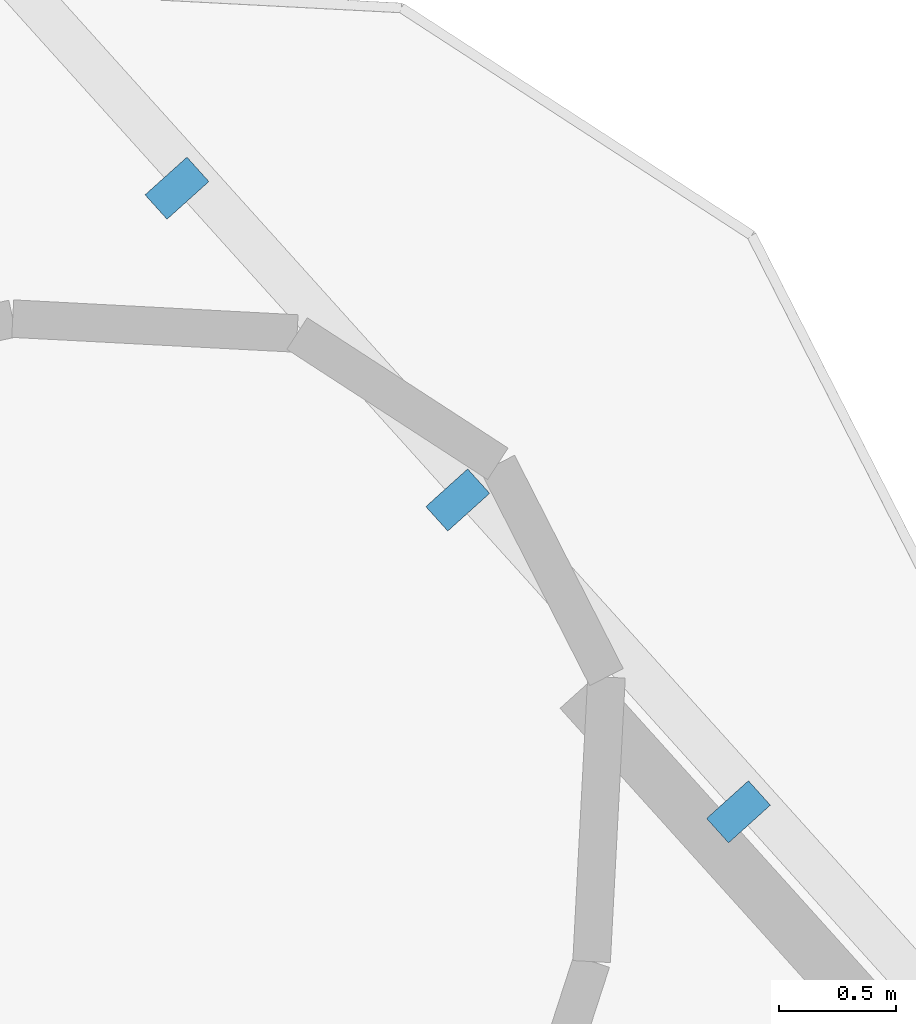
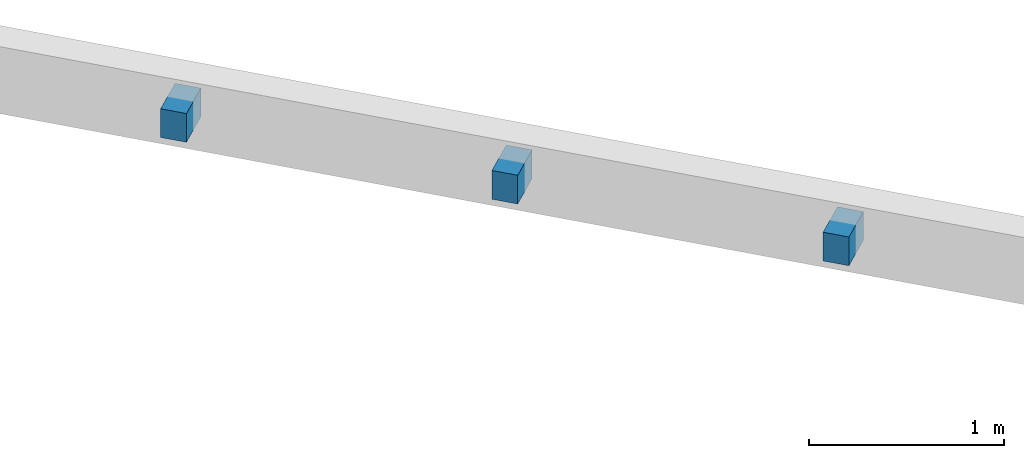
# One storey, part 7 of 10: 3 discrete accessories.
"""IFC4 building model written with IfcOpenShell, lengths in metres."""

from ifc_helpers import new_model, si_unit, direction, frame, origin, origin_2d, place, context, subcontext, project, spatial, rectangle, extrude, material, type_object, element, save


model = new_model("IFC4")

# Units and contexts
model_context = context("Model", 3, precision=1e-05, world=origin(), true_north=direction((0.0, 1.0)))
body_context = subcontext(model_context, "Body", "Model", "MODEL_VIEW")
ifc_project = project(units=[si_unit("LENGTHUNIT", "METRE"), si_unit("AREAUNIT", "SQUARE_METRE"), si_unit("VOLUMEUNIT", "CUBIC_METRE"), si_unit("PLANEANGLEUNIT", "RADIAN"), si_unit("MASSUNIT", "GRAM", prefix="KILO")], contexts=[model_context])

# Site, building, storey
site_placement = place(None, origin())
site = spatial("IfcSite", under=ifc_project, at=site_placement, CompositionType="ELEMENT")
building_placement = place(site_placement, origin())
building = spatial("IfcBuilding", under=site, at=building_placement, Name="Terralouvre Media Tower", CompositionType="ELEMENT")
storey_placement = place(building_placement, frame((0.0, 0.0, 278.10009765625)))
storey = spatial("IfcBuildingStorey", under=building, at=storey_placement, Name="L72", CompositionType="ELEMENT", Elevation=278.10009765625)

# Discrete accessories
ifc_material = material(Name="Anodised extruded aluminium 6063-T6", Category="aluminium")
discrete_accessory_type = type_object("IfcDiscreteAccessoryType", Name="Mullion Stand-Off Baguette Fixing Bracket BK-01", PredefinedType="BRACKET", material=ifc_material)
for number, where, z_axis, x_axis, name in (
    (1, (21.4189453125, 16.88037109375, 13.32177734375), (0.0, 0.0, 1.0), (-0.669130231192, 0.743145163279, 0.0), "CW-L72-C1 Louvre Bracket 01"),
    (2, (20.222900390625, 18.208740234375, 13.32177734375), (0.0, 0.0, 1.0), (-0.669130231192, 0.743145163279, 0.0), "CW-L72-C1 Louvre Bracket 02"),
    (3, (19.02685546875, 19.537109375, 13.32177734375), (0.0, 0.0, 1.0), (-0.669130231192, 0.743145163279, 0.0), "CW-L72-C1 Louvre Bracket 03"),
):
    element("IfcDiscreteAccessory", number, at=place(storey_placement, frame(where, z_axis=z_axis, x_axis=x_axis)), inside=storey, type_object=discrete_accessory_type, Name=name, PredefinedType="BRACKET", context=body_context, shape_type="SweptSolid", body=[
        extrude(rectangle(XDim=0.139892578125, YDim=0.239990234375, at=origin_2d()), origin(), (0.0, 0.0, 1.0), 0.179931640625),
    ])

save(model, "model.ifc")
